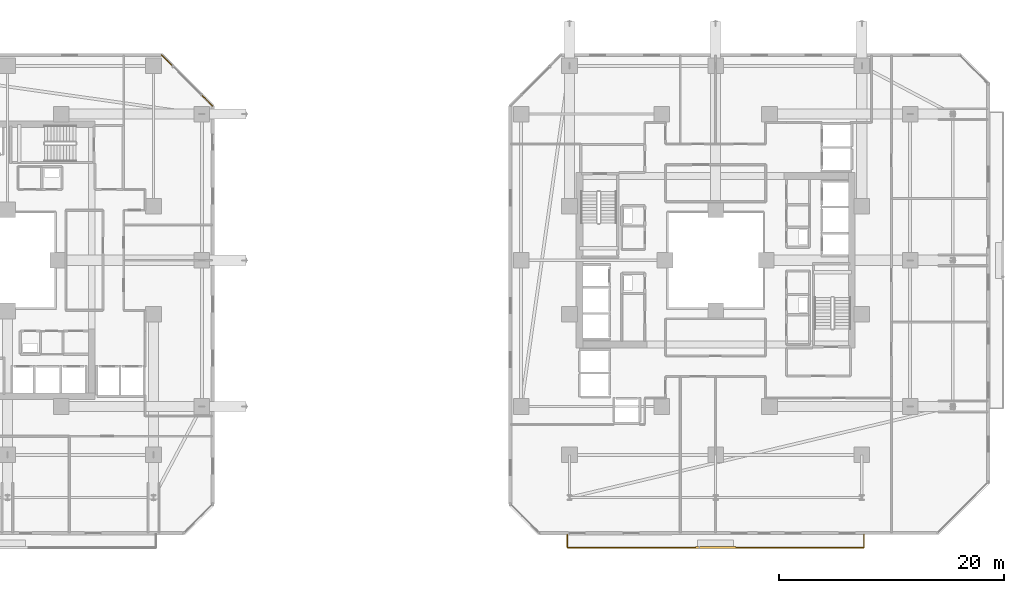
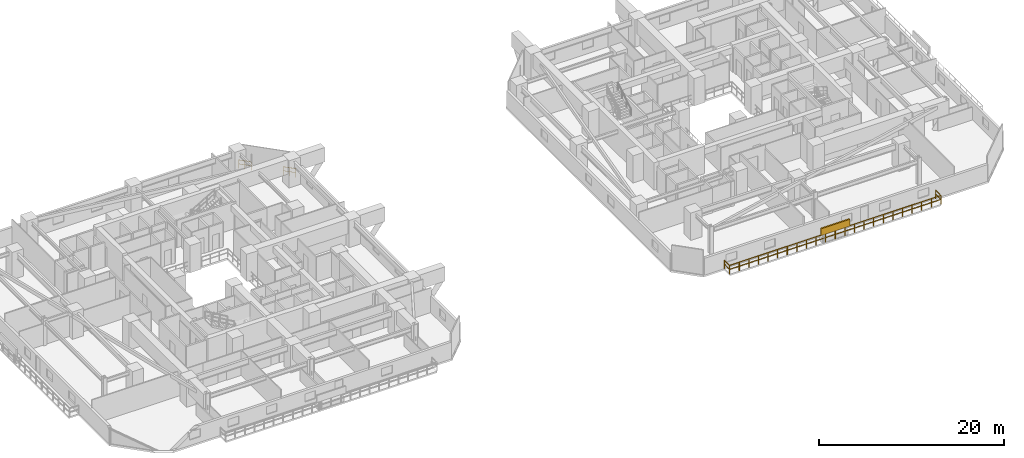
# One storey, part 34 of 36: 3 railings, 1 shading device.
"""IFC4 building model written with IfcOpenShell, lengths in metres."""

import ifcopenshell
import ifcopenshell.guid

model = None  # the IFC model being written
_history = None  # IfcOwnerHistory: only IFC2X3 demands one
_inside = {}  # id of a spatial element -> (the spatial element, [elements in it])
_under = {}  # id of a project, library or spatial element -> (it, [spatial elements below it])
_declared = {}  # id of a project -> (the project, [libraries it declares])
_typed = {}  # id of a type object -> (the type object, [elements of that type])
_made_of = {}  # id of a material, layer set ... -> (it, [elements and type objects made of it])


def new_model(schema):
    """Start an empty IFC model of exactly this schema.

    Asked for "IFC4X3", IfcOpenShell would pick the latest addendum, in which some entities
    have other attributes; the version numbers below select the first issue.
    IFC2X3 requires an IfcOwnerHistory on every rooted entity: one is made here for all.
    """
    global model, _history
    if schema == "IFC4X3":
        model = ifcopenshell.file(schema_version=(4, 3, 0, 0))
    else:
        model = ifcopenshell.file(schema=schema)
    _inside.clear()
    _under.clear()
    _declared.clear()
    _typed.clear()
    _made_of.clear()
    _history = None
    if model.schema == "IFC2X3":
        org = make("IfcOrganization", Name="unknown")
        user = make(
            "IfcPersonAndOrganization",
            ThePerson=make("IfcPerson", FamilyName="unknown"),
            TheOrganization=org,
        )
        app = make(
            "IfcApplication",
            ApplicationDeveloper=org,
            Version="unknown",
            ApplicationFullName="unknown",
            ApplicationIdentifier="unknown",
        )
        _history = make(
            "IfcOwnerHistory",
            OwningUser=user,
            OwningApplication=app,
            ChangeAction="ADDED",
            CreationDate=0,
        )
    return model


def make(cls, **values):
    """One entity of the class cls with the attributes given. An attribute that is None is left unset."""
    return model.create_entity(
        cls, **{name: value for name, value in values.items() if value is not None}
    )


def rooted(cls, **values):
    """An entity with a GlobalId (a new one), such as an element, a storey or a relation."""
    return make(cls, GlobalId=ifcopenshell.guid.new(), OwnerHistory=_history, **values)


def si_unit(unit_type, name, prefix=None):
    """IfcSIUnit, for example si_unit("LENGTHUNIT", "METRE", prefix="MILLI")."""
    return make("IfcSIUnit", UnitType=unit_type, Prefix=prefix, Name=name)


def assignment(units):
    """IfcUnitAssignment: the units of a project."""
    return None if units is None else make("IfcUnitAssignment", Units=units)


def point(xyz):
    """IfcCartesianPoint."""
    return None if xyz is None else make("IfcCartesianPoint", Coordinates=xyz)


def direction(xyz):
    """IfcDirection."""
    return None if xyz is None else make("IfcDirection", DirectionRatios=xyz)


def frame(location, z_axis=None, x_axis=None):
    """IfcAxis2Placement3D, a coordinate frame: its origin and axes. An axis left out is left unset."""
    return make(
        "IfcAxis2Placement3D",
        Location=point(location),
        Axis=direction(z_axis),
        RefDirection=direction(x_axis),
    )


def frame_2d(location, x_axis=None):
    """IfcAxis2Placement2D, a coordinate frame in the plane: its origin and x axis."""
    return make(
        "IfcAxis2Placement2D", Location=point(location), RefDirection=direction(x_axis)
    )


def origin():
    """The frame at (0, 0, 0) with its axes left unset."""
    return frame((0.0, 0.0, 0.0))


def origin_2d():
    """The frame at (0, 0) in the plane with its x axis left unset."""
    return frame_2d((0.0, 0.0))


def place(relative_to, where):
    """IfcLocalPlacement: puts the frame where relative to a parent placement (None: the world)."""
    return make(
        "IfcLocalPlacement", PlacementRelTo=relative_to, RelativePlacement=where
    )


def context(
    kind, dimensions, precision=None, world=None, true_north=None, identifier=None
):
    """IfcGeometricRepresentationContext, for example the 3D "Model" context."""
    return make(
        "IfcGeometricRepresentationContext",
        ContextIdentifier=identifier,
        ContextType=kind,
        CoordinateSpaceDimension=dimensions,
        Precision=precision,
        WorldCoordinateSystem=world,
        TrueNorth=true_north,
    )


def subcontext(parent, identifier, kind, view, scale=None):
    """IfcGeometricRepresentationSubContext, for example "Body" below "Model"."""
    return make(
        "IfcGeometricRepresentationSubContext",
        ContextIdentifier=identifier,
        ContextType=kind,
        ParentContext=parent,
        TargetScale=scale,
        TargetView=view,
    )


def project(units=None, contexts=None):
    """IfcProject with its units and contexts."""
    return rooted(
        "IfcProject",
        Name="project",
        RepresentationContexts=contexts,
        UnitsInContext=assignment(units),
    )


def spatial(cls, under=None, at=None, **own):
    """A site, building, storey or space (cls), placed at a placement, below another one or the project."""
    s = rooted(cls, ObjectPlacement=at, **own)
    if under is not None:
        _under.setdefault(under.id(), (under, []))[1].append(s)
    return s


def profile(cls, at=None, kind="AREA", **sizes):
    """A parametric profile (cls). Its sizes go by their IFC names, for example OverallWidth=200.0."""
    return make(cls, ProfileType=kind, Position=at, **sizes)


def rectangle(**sizes):
    """IfcRectangleProfileDef."""
    return profile("IfcRectangleProfileDef", **sizes)


def extrude(swept, where, along, depth):
    """IfcExtrudedAreaSolid: the profile swept, set in the frame where, extruded along a direction by depth."""
    return make(
        "IfcExtrudedAreaSolid",
        SweptArea=swept,
        Position=where,
        ExtrudedDirection=direction(along),
        Depth=depth,
    )


def shape(context_of_items, identifier, shape_type, items):
    """IfcShapeRepresentation: the items that make up one representation, for example the "Body"."""
    return make(
        "IfcShapeRepresentation",
        ContextOfItems=context_of_items,
        RepresentationIdentifier=identifier,
        RepresentationType=shape_type,
        Items=items,
    )


def material(Name=None, Category=None):
    """IfcMaterial."""
    return make("IfcMaterial", Name=Name, Category=Category)


def made_of(thing, what):
    """Note that an element or type object is made of a material, layer set ...; save() writes the relation."""
    if what is not None:
        _made_of.setdefault(what.id(), (what, []))[1].append(thing)
    return thing


def type_object(cls, material=None, **own):
    """A type object (cls), such as IfcWallType, which elements share."""
    return made_of(rooted(cls, **own), material)


def element(
    cls,
    number,
    at=None,
    inside=None,
    cuts=None,
    type_object=None,
    material=None,
    context=None,
    identifier="Body",
    shape_type=None,
    held_by="IfcProductDefinitionShape",
    body=None,
    shapes=None,
    **own,
):
    """One element of the class cls, such as IfcWall. Its Tag is "e" and its number.

    at: its placement. inside: the storey or other place that contains it. cuts: it is an
    opening in that element (IfcRelVoidsElement). A single representation is given by context,
    identifier, shape_type and body (its items); several are given by shapes. held_by: the class
    of the entity that holds the representations. save() writes the other relations.
    """
    e = rooted(cls, Tag="e%d" % number, ObjectPlacement=at, **own)
    if body is not None:
        shapes = [shape(context, identifier, shape_type, body)]
    if shapes is not None:
        e.Representation = make(held_by, Representations=shapes)
    if inside is not None:
        _inside.setdefault(inside.id(), (inside, []))[1].append(e)
    if cuts is not None:
        rooted(
            "IfcRelVoidsElement", RelatingBuildingElement=cuts, RelatedOpeningElement=e
        )
    if type_object is not None:
        _typed.setdefault(type_object.id(), (type_object, []))[1].append(e)
    return made_of(e, material)


def aggregate(whole, parts):
    """IfcRelAggregates: a whole, such as a stair, and the parts it consists of."""
    return rooted("IfcRelAggregates", RelatingObject=whole, RelatedObjects=parts)


def save(model, path):
    """Write the relations noted so far, then the file.

    IfcRelAggregates (storeys below a building ...), IfcRelContainedInSpatialStructure (elements
    in a storey), IfcRelDefinesByType, IfcRelAssociatesMaterial and IfcRelDeclares: one each for
    every whole, place, type object, material and project.
    """
    for whole, parts in _under.values():
        aggregate(whole, parts)
    for where, things in _inside.values():
        rooted(
            "IfcRelContainedInSpatialStructure",
            RelatedElements=things,
            RelatingStructure=where,
        )
    for kind, things in _typed.values():
        rooted("IfcRelDefinesByType", RelatedObjects=things, RelatingType=kind)
    for what, things in _made_of.values():
        rooted("IfcRelAssociatesMaterial", RelatedObjects=things, RelatingMaterial=what)
    for by, libraries in _declared.values():
        rooted("IfcRelDeclares", RelatingContext=by, RelatedDefinitions=libraries)
    model.write(path)


model = new_model("IFC4")

# Units and contexts
model_context = context("Model", 3, precision=1e-05, world=origin(), true_north=direction((0.0, 1.0)))
body_context = subcontext(model_context, "Body", "Model", "MODEL_VIEW")
ifc_project = project(units=[si_unit("LENGTHUNIT", "METRE"), si_unit("AREAUNIT", "SQUARE_METRE"), si_unit("VOLUMEUNIT", "CUBIC_METRE"), si_unit("PLANEANGLEUNIT", "RADIAN"), si_unit("MASSUNIT", "GRAM", prefix="KILO")], contexts=[model_context])

# Site, building, storey
site_placement = place(None, origin())
site = spatial("IfcSite", under=ifc_project, at=site_placement, CompositionType="ELEMENT")
building_placement = place(site_placement, origin())
building = spatial("IfcBuilding", under=site, at=building_placement, Name="Thornwick Lancets Civic Towers", CompositionType="ELEMENT")
storey_placement = place(building_placement, frame((0.0, 0.0, 45.89990234375)))
storey = spatial("IfcBuildingStorey", under=building, at=storey_placement, Name="L11", CompositionType="ELEMENT", Elevation=45.89990234375)

# Railings
ifc_material_1 = material(Name="Terracotta-capped laminated glass balustrade S355", Category="masonry")
railing_type = type_object("IfcRailingType", Name="RAIL_TERR_GUARD", PredefinedType="GUARDRAIL", material=ifc_material_1)
railing_1_placement = place(storey_placement, frame((43.758544921875, 40.724609375, 0.0)))
element("IfcRailing", 1, at=railing_1_placement, inside=storey, type_object=railing_type, Name="L11 Tower A Chamfer Spandrel Guard E3-1", PredefinedType="GUARDRAIL", context=body_context, shape_type="SweptSolid", body=[
    extrude(rectangle(XDim=0.048095703125, YDim=0.048095703125, at=origin_2d()), frame((0.0, 0.0, 1.1259765625), z_axis=(-0.707020532876, 0.707193018978, 0.0), x_axis=(-0.707193018978, -0.707020532876, 0.0)), (0.0, 0.0, 1.0), 1.41552734375),
    extrude(rectangle(XDim=0.0419921875, YDim=0.0419921875, at=origin_2d()), frame((-0.026611328125, 0.026611328125, 0.597900390625), z_axis=(-0.707020532876, 0.707193018978, 0.0), x_axis=(-0.707193018978, -0.707020532876, 0.0)), (0.0, 0.0, 1.0), 0.6328125),
    extrude(rectangle(XDim=0.0419921875, YDim=0.0419921875, at=origin_2d()), frame((-0.52685546875, 0.527099609375, 0.597900390625), z_axis=(-0.707020532876, 0.707193018978, 0.0), x_axis=(-0.707193018978, -0.707020532876, 0.0)), (0.0, 0.0, 1.0), 0.6328125),
    extrude(rectangle(XDim=0.0419921875, YDim=0.0419921875, at=origin_2d()), origin(), (0.0, 0.0, 1.0), 1.095703125),
    extrude(rectangle(XDim=0.0419921875, YDim=0.0419921875, at=origin_2d()), frame((-0.50048828125, 0.50048828125, 0.0)), (0.0, 0.0, 1.0), 1.095703125),
    extrude(rectangle(XDim=0.0419921875, YDim=0.0419921875, at=origin_2d()), frame((-1.000732421875, 1.0009765625, 0.0)), (0.0, 0.0, 1.0), 1.095703125),
])
railing_2_placement = place(storey_placement, frame((40.2255859375, 44.2578125, 0.0)))
element("IfcRailing", 2, at=railing_2_placement, inside=storey, type_object=railing_type, Name="L11 Tower A Chamfer Spandrel Guard E3-2", PredefinedType="GUARDRAIL", context=body_context, shape_type="SweptSolid", body=[
    extrude(rectangle(XDim=0.048095703125, YDim=0.048095703125, at=origin_2d()), frame((0.0, 0.0, 1.1259765625), z_axis=(-0.707193018978, 0.707020532876, 0.0), x_axis=(-0.707020532876, -0.707193018978, 0.0)), (0.0, 0.0, 1.0), 1.41552734375),
    extrude(rectangle(XDim=0.0419921875, YDim=0.0419921875, at=origin_2d()), frame((-0.026611328125, 0.026611328125, 0.597900390625), z_axis=(-0.707193018978, 0.707020532876, 0.0), x_axis=(-0.707020532876, -0.707193018978, 0.0)), (0.0, 0.0, 1.0), 0.6328125),
    extrude(rectangle(XDim=0.0419921875, YDim=0.0419921875, at=origin_2d()), frame((-0.527099609375, 0.52685546875, 0.597900390625), z_axis=(-0.707193018978, 0.707020532876, 0.0), x_axis=(-0.707020532876, -0.707193018978, 0.0)), (0.0, 0.0, 1.0), 0.6328125),
    extrude(rectangle(XDim=0.0419921875, YDim=0.0419921875, at=origin_2d()), origin(), (0.0, 0.0, 1.0), 1.095703125),
    extrude(rectangle(XDim=0.0419921875, YDim=0.0419921875, at=origin_2d()), frame((-0.50048828125, 0.50048828125, 0.0)), (0.0, 0.0, 1.0), 1.095703125),
    extrude(rectangle(XDim=0.0419921875, YDim=0.0419921875, at=origin_2d()), frame((-1.0009765625, 1.000732421875, 0.0)), (0.0, 0.0, 1.0), 1.095703125),
])
railing_3_placement = place(storey_placement, frame((75.300048828125, 2.60009765625, 0.0)))
element("IfcRailing", 3, at=railing_3_placement, inside=storey, type_object=railing_type, Name="L11 Tower B Balcony Guard S", PredefinedType="GUARDRAIL", context=body_context, shape_type="SweptSolid", body=[
    extrude(rectangle(XDim=0.048095703125, YDim=0.048095703125, at=origin_2d()), frame((0.0, 0.0, 1.1259765625), z_axis=(0.0, -1.0, 0.0), x_axis=(1.0, 0.0, 0.0)), (0.0, 0.0, 1.0), 1.138916015625),
    extrude(rectangle(XDim=0.0419921875, YDim=0.0419921875, at=origin_2d()), frame((0.0, -0.03759765625, 0.597900390625), z_axis=(0.0, -1.0, 0.0), x_axis=(1.0, 0.0, 0.0)), (0.0, 0.0, 1.0), 1.09521484375),
    extrude(rectangle(XDim=0.048095703125, YDim=0.048095703125, at=origin_2d()), frame((0.03125, -1.170166015625, 1.1259765625), z_axis=(1.0, 0.0, 0.0), x_axis=(0.0, 1.0, 0.0)), (0.0, 0.0, 1.0), 26.33740234375),
    extrude(rectangle(XDim=0.0419921875, YDim=0.0419921875, at=origin_2d()), frame((0.03759765625, -1.170166015625, 0.597900390625), z_axis=(1.0, 0.0, 0.0), x_axis=(0.0, 1.0, 0.0)), (0.0, 0.0, 1.0), 1.125),
    extrude(rectangle(XDim=0.0419921875, YDim=0.0419921875, at=origin_2d()), frame((1.237548828125, -1.170166015625, 0.597900390625), z_axis=(1.0, 0.0, 0.0), x_axis=(0.0, 1.0, 0.0)), (0.0, 0.0, 1.0), 1.125),
    extrude(rectangle(XDim=0.0419921875, YDim=0.0419921875, at=origin_2d()), frame((2.4375, -1.170166015625, 0.597900390625), z_axis=(1.0, 0.0, 0.0), x_axis=(0.0, 1.0, 0.0)), (0.0, 0.0, 1.0), 1.125),
    extrude(rectangle(XDim=0.0419921875, YDim=0.0419921875, at=origin_2d()), frame((3.637451171875, -1.170166015625, 0.597900390625), z_axis=(1.0, 0.0, 0.0), x_axis=(0.0, 1.0, 0.0)), (0.0, 0.0, 1.0), 1.125),
    extrude(rectangle(XDim=0.0419921875, YDim=0.0419921875, at=origin_2d()), frame((4.83740234375, -1.170166015625, 0.597900390625), z_axis=(1.0, 0.0, 0.0), x_axis=(0.0, 1.0, 0.0)), (0.0, 0.0, 1.0), 1.125),
    extrude(rectangle(XDim=0.0419921875, YDim=0.0419921875, at=origin_2d()), frame((6.037353515625, -1.170166015625, 0.597900390625), z_axis=(1.0, 0.0, 0.0), x_axis=(0.0, 1.0, 0.0)), (0.0, 0.0, 1.0), 1.125),
    extrude(rectangle(XDim=0.0419921875, YDim=0.0419921875, at=origin_2d()), frame((7.237548828125, -1.170166015625, 0.597900390625), z_axis=(1.0, 0.0, 0.0), x_axis=(0.0, 1.0, 0.0)), (0.0, 0.0, 1.0), 1.125),
    extrude(rectangle(XDim=0.0419921875, YDim=0.0419921875, at=origin_2d()), frame((8.4375, -1.170166015625, 0.597900390625), z_axis=(1.0, 0.0, 0.0), x_axis=(0.0, 1.0, 0.0)), (0.0, 0.0, 1.0), 1.125),
    extrude(rectangle(XDim=0.0419921875, YDim=0.0419921875, at=origin_2d()), frame((9.637451171875, -1.170166015625, 0.597900390625), z_axis=(1.0, 0.0, 0.0), x_axis=(0.0, 1.0, 0.0)), (0.0, 0.0, 1.0), 1.125),
    extrude(rectangle(XDim=0.0419921875, YDim=0.0419921875, at=origin_2d()), frame((10.83740234375, -1.170166015625, 0.597900390625), z_axis=(1.0, 0.0, 0.0), x_axis=(0.0, 1.0, 0.0)), (0.0, 0.0, 1.0), 1.125),
    extrude(rectangle(XDim=0.0419921875, YDim=0.0419921875, at=origin_2d()), frame((12.037353515625, -1.170166015625, 0.597900390625), z_axis=(1.0, 0.0, 0.0), x_axis=(0.0, 1.0, 0.0)), (0.0, 0.0, 1.0), 1.125),
    extrude(rectangle(XDim=0.0419921875, YDim=0.0419921875, at=origin_2d()), frame((13.237548828125, -1.170166015625, 0.597900390625), z_axis=(1.0, 0.0, 0.0), x_axis=(0.0, 1.0, 0.0)), (0.0, 0.0, 1.0), 1.125),
    extrude(rectangle(XDim=0.0419921875, YDim=0.0419921875, at=origin_2d()), frame((14.4375, -1.170166015625, 0.597900390625), z_axis=(1.0, 0.0, 0.0), x_axis=(0.0, 1.0, 0.0)), (0.0, 0.0, 1.0), 1.125),
    extrude(rectangle(XDim=0.0419921875, YDim=0.0419921875, at=origin_2d()), frame((15.637451171875, -1.170166015625, 0.597900390625), z_axis=(1.0, 0.0, 0.0), x_axis=(0.0, 1.0, 0.0)), (0.0, 0.0, 1.0), 1.125),
    extrude(rectangle(XDim=0.0419921875, YDim=0.0419921875, at=origin_2d()), frame((16.83740234375, -1.170166015625, 0.597900390625), z_axis=(1.0, 0.0, 0.0), x_axis=(0.0, 1.0, 0.0)), (0.0, 0.0, 1.0), 1.125),
    extrude(rectangle(XDim=0.0419921875, YDim=0.0419921875, at=origin_2d()), frame((18.037353515625, -1.170166015625, 0.597900390625), z_axis=(1.0, 0.0, 0.0), x_axis=(0.0, 1.0, 0.0)), (0.0, 0.0, 1.0), 1.125),
    extrude(rectangle(XDim=0.0419921875, YDim=0.0419921875, at=origin_2d()), frame((19.2373046875, -1.170166015625, 0.597900390625), z_axis=(1.0, 0.0, 0.0), x_axis=(0.0, 1.0, 0.0)), (0.0, 0.0, 1.0), 1.125),
    extrude(rectangle(XDim=0.0419921875, YDim=0.0419921875, at=origin_2d()), frame((20.4375, -1.170166015625, 0.597900390625), z_axis=(1.0, 0.0, 0.0), x_axis=(0.0, 1.0, 0.0)), (0.0, 0.0, 1.0), 1.125),
    extrude(rectangle(XDim=0.0419921875, YDim=0.0419921875, at=origin_2d()), frame((21.637451171875, -1.170166015625, 0.597900390625), z_axis=(1.0, 0.0, 0.0), x_axis=(0.0, 1.0, 0.0)), (0.0, 0.0, 1.0), 1.125),
    extrude(rectangle(XDim=0.0419921875, YDim=0.0419921875, at=origin_2d()), frame((22.83740234375, -1.170166015625, 0.597900390625), z_axis=(1.0, 0.0, 0.0), x_axis=(0.0, 1.0, 0.0)), (0.0, 0.0, 1.0), 1.125),
    extrude(rectangle(XDim=0.0419921875, YDim=0.0419921875, at=origin_2d()), frame((24.037353515625, -1.170166015625, 0.597900390625), z_axis=(1.0, 0.0, 0.0), x_axis=(0.0, 1.0, 0.0)), (0.0, 0.0, 1.0), 1.125),
    extrude(rectangle(XDim=0.0419921875, YDim=0.0419921875, at=origin_2d()), frame((25.2373046875, -1.170166015625, 0.597900390625), z_axis=(1.0, 0.0, 0.0), x_axis=(0.0, 1.0, 0.0)), (0.0, 0.0, 1.0), 1.125),
    extrude(rectangle(XDim=0.048095703125, YDim=0.048095703125, at=origin_2d()), frame((26.39990234375, -1.138916015625, 1.1259765625), z_axis=(0.0, 1.0, 0.0), x_axis=(-1.0, 0.0, 0.0)), (0.0, 0.0, 1.0), 1.138916015625),
    extrude(rectangle(XDim=0.0419921875, YDim=0.0419921875, at=origin_2d()), frame((26.39990234375, -1.132568359375, 0.597900390625), z_axis=(0.0, 1.0, 0.0), x_axis=(-1.0, 0.0, 0.0)), (0.0, 0.0, 1.0), 1.09521484375),
    extrude(rectangle(XDim=0.0419921875, YDim=0.0419921875, at=origin_2d()), origin(), (0.0, 0.0, 1.0), 1.095703125),
    extrude(rectangle(XDim=0.0419921875, YDim=0.0419921875, at=origin_2d()), frame((0.0, -1.170166015625, 0.0)), (0.0, 0.0, 1.0), 1.095703125),
    extrude(rectangle(XDim=0.0419921875, YDim=0.0419921875, at=origin_2d()), frame((1.199951171875, -1.170166015625, 0.0)), (0.0, 0.0, 1.0), 1.095703125),
    extrude(rectangle(XDim=0.0419921875, YDim=0.0419921875, at=origin_2d()), frame((2.39990234375, -1.170166015625, 0.0)), (0.0, 0.0, 1.0), 1.095703125),
    extrude(rectangle(XDim=0.0419921875, YDim=0.0419921875, at=origin_2d()), frame((3.60009765625, -1.170166015625, 0.0)), (0.0, 0.0, 1.0), 1.095703125),
    extrude(rectangle(XDim=0.0419921875, YDim=0.0419921875, at=origin_2d()), frame((4.800048828125, -1.170166015625, 0.0)), (0.0, 0.0, 1.0), 1.095703125),
    extrude(rectangle(XDim=0.0419921875, YDim=0.0419921875, at=origin_2d()), frame((6.0, -1.170166015625, 0.0)), (0.0, 0.0, 1.0), 1.095703125),
    extrude(rectangle(XDim=0.0419921875, YDim=0.0419921875, at=origin_2d()), frame((7.199951171875, -1.170166015625, 0.0)), (0.0, 0.0, 1.0), 1.095703125),
    extrude(rectangle(XDim=0.0419921875, YDim=0.0419921875, at=origin_2d()), frame((8.39990234375, -1.170166015625, 0.0)), (0.0, 0.0, 1.0), 1.095703125),
    extrude(rectangle(XDim=0.0419921875, YDim=0.0419921875, at=origin_2d()), frame((9.599853515625, -1.170166015625, 0.0)), (0.0, 0.0, 1.0), 1.095703125),
    extrude(rectangle(XDim=0.0419921875, YDim=0.0419921875, at=origin_2d()), frame((10.800048828125, -1.170166015625, 0.0)), (0.0, 0.0, 1.0), 1.095703125),
    extrude(rectangle(XDim=0.0419921875, YDim=0.0419921875, at=origin_2d()), frame((12.0, -1.170166015625, 0.0)), (0.0, 0.0, 1.0), 1.095703125),
    extrude(rectangle(XDim=0.0419921875, YDim=0.0419921875, at=origin_2d()), frame((13.199951171875, -1.170166015625, 0.0)), (0.0, 0.0, 1.0), 1.095703125),
    extrude(rectangle(XDim=0.0419921875, YDim=0.0419921875, at=origin_2d()), frame((14.39990234375, -1.170166015625, 0.0)), (0.0, 0.0, 1.0), 1.095703125),
    extrude(rectangle(XDim=0.0419921875, YDim=0.0419921875, at=origin_2d()), frame((15.599853515625, -1.170166015625, 0.0)), (0.0, 0.0, 1.0), 1.095703125),
    extrude(rectangle(XDim=0.0419921875, YDim=0.0419921875, at=origin_2d()), frame((16.800048828125, -1.170166015625, 0.0)), (0.0, 0.0, 1.0), 1.095703125),
    extrude(rectangle(XDim=0.0419921875, YDim=0.0419921875, at=origin_2d()), frame((18.0, -1.170166015625, 0.0)), (0.0, 0.0, 1.0), 1.095703125),
    extrude(rectangle(XDim=0.0419921875, YDim=0.0419921875, at=origin_2d()), frame((19.199951171875, -1.170166015625, 0.0)), (0.0, 0.0, 1.0), 1.095703125),
    extrude(rectangle(XDim=0.0419921875, YDim=0.0419921875, at=origin_2d()), frame((20.39990234375, -1.170166015625, 0.0)), (0.0, 0.0, 1.0), 1.095703125),
    extrude(rectangle(XDim=0.0419921875, YDim=0.0419921875, at=origin_2d()), frame((21.599853515625, -1.170166015625, 0.0)), (0.0, 0.0, 1.0), 1.095703125),
    extrude(rectangle(XDim=0.0419921875, YDim=0.0419921875, at=origin_2d()), frame((22.7998046875, -1.170166015625, 0.0)), (0.0, 0.0, 1.0), 1.095703125),
    extrude(rectangle(XDim=0.0419921875, YDim=0.0419921875, at=origin_2d()), frame((24.0, -1.170166015625, 0.0)), (0.0, 0.0, 1.0), 1.095703125),
    extrude(rectangle(XDim=0.0419921875, YDim=0.0419921875, at=origin_2d()), frame((25.199951171875, -1.170166015625, 0.0)), (0.0, 0.0, 1.0), 1.095703125),
    extrude(rectangle(XDim=0.0419921875, YDim=0.0419921875, at=origin_2d()), frame((26.39990234375, -1.170166015625, 0.0)), (0.0, 0.0, 1.0), 1.095703125),
    extrude(rectangle(XDim=0.0419921875, YDim=0.0419921875, at=origin_2d()), frame((26.39990234375, 0.0, 0.0)), (0.0, 0.0, 1.0), 1.095703125),
])

# Shading device
ifc_material_2 = material(Name="Extruded terracotta baguette solar screen", Category="masonry")
shading_device_type = type_object("IfcShadingDeviceType", Name="SHADE_BAGUETTE", PredefinedType="JALOUSIE", material=ifc_material_2)
shading_device_placement = place(storey_placement, frame((88.5, 1.43994140625, 1.1201171875), z_axis=(0.0, 0.0, 1.0), x_axis=(1.0, 0.0, 0.0)))
element("IfcShadingDevice", 4, at=shading_device_placement, inside=storey, type_object=shading_device_type, Name="L11 Tower B Terracotta Baguette Screen S", PredefinedType="JALOUSIE", context=body_context, shape_type="SweptSolid", body=[
    extrude(rectangle(XDim=3.60009765625, YDim=0.179931640625, at=origin_2d()), origin(), (0.0, 0.0, 1.0), 0.89990234375),
])

save(model, "model.ifc")
